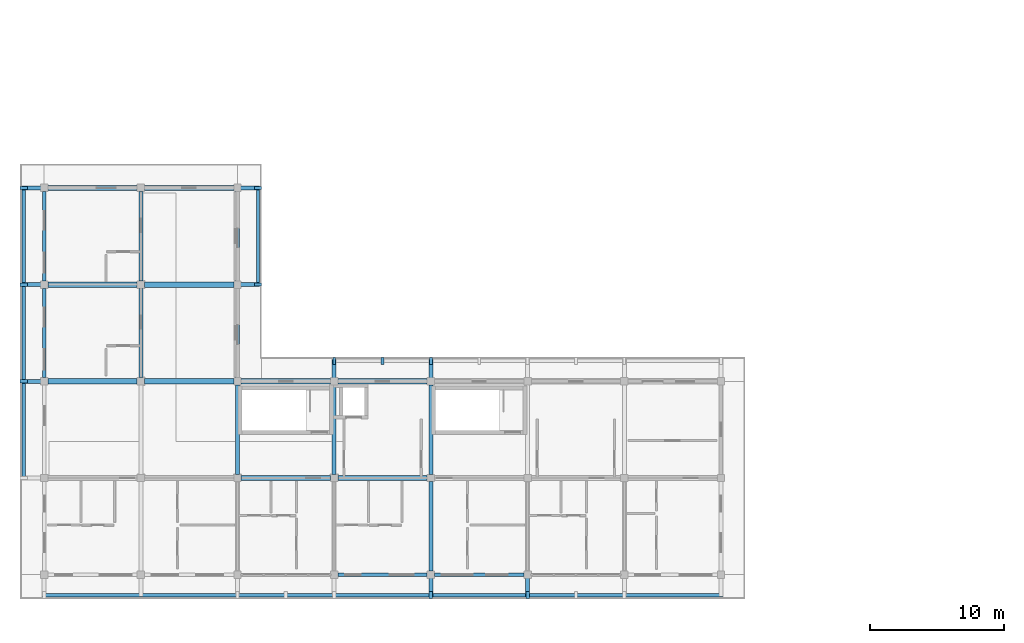
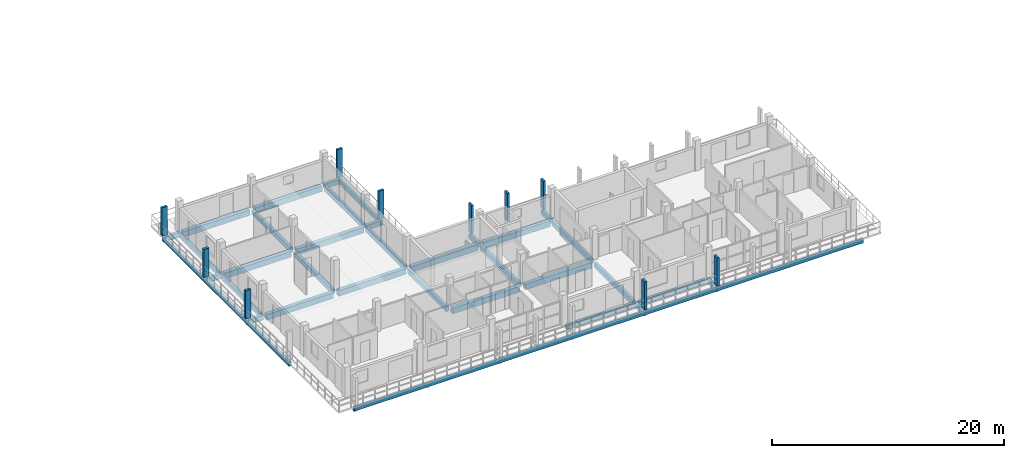
# One storey, part 5 of 65: 34 beams, 10 members.
"""IFC4 building model written with IfcOpenShell, lengths in metres."""

from ifc_helpers import new_model, si_unit, direction, frame, origin, origin_2d, place, context, subcontext, project, spatial, rectangle, extrude, material, material_profile, profile_set, type_object, element, save


model = new_model("IFC4")

# Units and contexts
model_context = context("Model", 3, precision=1e-05, world=origin(), true_north=direction((0.0, 1.0)))
body_context = subcontext(model_context, "Body", "Model", "MODEL_VIEW")
ifc_project = project(units=[si_unit("LENGTHUNIT", "METRE"), si_unit("AREAUNIT", "SQUARE_METRE"), si_unit("VOLUMEUNIT", "CUBIC_METRE"), si_unit("PLANEANGLEUNIT", "RADIAN"), si_unit("MASSUNIT", "GRAM", prefix="KILO")], contexts=[model_context])

# Site, building, storey
site_placement = place(None, origin())
site = spatial("IfcSite", under=ifc_project, at=site_placement, CompositionType="ELEMENT")
building_placement = place(site_placement, origin())
building = spatial("IfcBuilding", under=site, at=building_placement, Name="Suanplinth Sawtooth Commons", CompositionType="ELEMENT")
storey_placement = place(building_placement, frame((0.0, 0.0, 28.300048828125)))
storey = spatial("IfcBuildingStorey", under=building, at=storey_placement, Name="L08", CompositionType="ELEMENT", Elevation=28.300048828125)

# Beams
ifc_material_1 = material(Name="Precast concrete C40/50", Category="concrete")
ifc_material_profile_1 = material_profile(ifc_material_1, rectangle(XDim=0.39990234375, YDim=0.60009765625, at=origin_2d()), Name="PC-GDR 400x600")
ifc_profile_set_1 = profile_set([ifc_material_profile_1], Name="Precast concrete C40/50")
beam_type_1 = type_object("IfcBeamType", Name="B-05", PredefinedType="USERDEFINED", material=ifc_profile_set_1)
for number, where, z_axis, x_axis, name in (
    (1, (0.27490234375, 14.39990234375, -0.510009765625), (1.0, 0.0, 0.0), (0.0, 1.0, 0.0), "BMX-L08-D-0-2"),
    (2, (0.27490234375, 21.60009765625, -0.510009765625), (1.0, 0.0, 0.0), (0.0, 1.0, 0.0), "BMX-L08-D-0-3"),
    (3, (0.27490234375, 28.800048828125, -0.510009765625), (1.0, 0.0, 0.0), (0.0, 1.0, 0.0), "BMX-L08-D-0-4"),
):
    element("IfcBeam", number, at=place(storey_placement, frame(where, z_axis=z_axis, x_axis=x_axis)), inside=storey, type_object=beam_type_1, Name=name, ObjectType="GIRDER", PredefinedType="USERDEFINED", context=body_context, shape_type="SweptSolid", body=[
        extrude(rectangle(XDim=0.39990234375, YDim=0.60009765625, at=origin_2d()), origin(), (0.0, 0.0, 1.0), 6.650146484375),
    ])
for number, where, z_axis, x_axis, name in (
    (4, (7.47509765625, 14.39990234375, -0.510009765625), (1.0, 0.0, 0.0), (0.0, 1.0, 0.0), "BMX-L08-D-1-2"),
    (5, (7.47509765625, 21.60009765625, -0.510009765625), (1.0, 0.0, 0.0), (0.0, 1.0, 0.0), "BMX-L08-D-1-3"),
    (6, (7.47509765625, 28.800048828125, -0.510009765625), (1.0, 0.0, 0.0), (0.0, 1.0, 0.0), "BMX-L08-D-1-4"),
    (7, (14.675048828125, 7.199951171875, -0.510009765625), (1.0, 0.0, 0.0), (0.0, 1.0, 0.0), "BMX-L08-D-2-1"),
    (8, (14.675048828125, 14.39990234375, -0.510009765625), (1.0, 0.0, 0.0), (0.0, 1.0, 0.0), "BMX-L08-D-2-2"),
    (9, (21.875, 7.199951171875, -0.510009765625), (1.0, 0.0, 0.0), (0.0, 1.0, 0.0), "BMX-L08-D-3-1"),
    (10, (21.875, 14.39990234375, -0.510009765625), (1.0, 0.0, 0.0), (0.0, 1.0, 0.0), "BMX-L08-D-3-2"),
):
    element("IfcBeam", number, at=place(storey_placement, frame(where, z_axis=z_axis, x_axis=x_axis)), inside=storey, type_object=beam_type_1, Name=name, ObjectType="GIRDER", PredefinedType="USERDEFINED", context=body_context, shape_type="SweptSolid", body=[
        extrude(rectangle(XDim=0.39990234375, YDim=0.60009765625, at=origin_2d()), origin(), (0.0, 0.0, 1.0), 6.64990234375),
    ])
ifc_material_profile_2 = material_profile(ifc_material_1, rectangle(XDim=0.300048828125, YDim=0.5, at=origin_2d()), Name="PC-BM 300x500")
ifc_profile_set_2 = profile_set([ifc_material_profile_2], Name="Precast concrete C40/50")
beam_type_2 = type_object("IfcBeamType", Name="B-07", PredefinedType="BEAM", material=ifc_profile_set_2)
for number, where, z_axis, x_axis, name in (
    (11, (7.199951171875, 14.675048828125, -0.4599609375), (0.0, 1.0, 0.0), (-1.0, 0.0, 0.0), "BMY-L08-D-1-2"),
    (12, (7.199951171875, 21.875, -0.4599609375), (0.0, 1.0, 0.0), (-1.0, 0.0, 0.0), "BMY-L08-D-1-3"),
    (13, (14.39990234375, 7.47509765625, -0.4599609375), (0.0, 1.0, 0.0), (-1.0, 0.0, 0.0), "BMY-L08-D-2-1"),
    (14, (14.39990234375, 14.675048828125, -0.4599609375), (0.0, 1.0, 0.0), (-1.0, 0.0, 0.0), "BMY-L08-D-2-2"),
    (15, (14.39990234375, 21.875, -0.4599609375), (0.0, 1.0, 0.0), (-1.0, 0.0, 0.0), "BMY-L08-D-2-3"),
    (16, (21.60009765625, 7.47509765625, -0.4599609375), (0.0, 1.0, 0.0), (-1.0, 0.0, 0.0), "BMY-L08-D-3-1"),
):
    element("IfcBeam", number, at=place(storey_placement, frame(where, z_axis=z_axis, x_axis=x_axis)), inside=storey, type_object=beam_type_2, Name=name, PredefinedType="BEAM", context=body_context, shape_type="SweptSolid", body=[
        extrude(rectangle(XDim=0.300048828125, YDim=0.5, at=origin_2d()), origin(), (0.0, 0.0, 1.0), 6.64990234375),
    ])
beam_1_placement = place(storey_placement, frame((28.800048828125, 0.27490234375, -0.4599609375), z_axis=(0.0, 1.0, 0.0), x_axis=(-1.0, 0.0, 0.0)))
element("IfcBeam", 17, at=beam_1_placement, inside=storey, type_object=beam_type_2, Name="BMY-L08-D-4-0", PredefinedType="BEAM", context=body_context, shape_type="SweptSolid", body=[
    extrude(rectangle(XDim=0.300048828125, YDim=0.5, at=origin_2d()), origin(), (0.0, 0.0, 1.0), 6.650146484375),
])
beam_2_placement = place(storey_placement, frame((28.800048828125, 7.47509765625, -0.4599609375), z_axis=(0.0, 1.0, 0.0), x_axis=(-1.0, 0.0, 0.0)))
element("IfcBeam", 18, at=beam_2_placement, inside=storey, type_object=beam_type_2, Name="BMY-L08-D-4-1", PredefinedType="BEAM", context=body_context, shape_type="SweptSolid", body=[
    extrude(rectangle(XDim=0.300048828125, YDim=0.5, at=origin_2d()), origin(), (0.0, 0.0, 1.0), 6.64990234375),
])
for number, where, z_axis, x_axis, name in (
    (19, (28.800048828125, 0.0, -0.429931640625), (0.0, -1.0, 0.0), (1.0, 0.0, 0.0), "Balcony Outrigger L08-D-S-4"),
    (20, (36.0, 0.0, -0.429931640625), (0.0, -1.0, 0.0), (1.0, 0.0, 0.0), "Balcony Outrigger L08-D-S-5"),
    (21, (0.0, 14.39990234375, -0.429931640625), (-1.0, 0.0, 0.0), (0.0, -1.0, 0.0), "Balcony Outrigger L08-D-W-2"),
    (22, (0.0, 21.60009765625, -0.429931640625), (-1.0, 0.0, 0.0), (0.0, -1.0, 0.0), "Balcony Outrigger L08-D-W-3"),
    (23, (0.0, 28.800048828125, -0.429931640625), (-1.0, 0.0, 0.0), (0.0, -1.0, 0.0), "Balcony Outrigger L08-D-W-4"),
):
    element("IfcBeam", number, at=place(storey_placement, frame(where, z_axis=z_axis, x_axis=x_axis)), inside=storey, type_object=beam_type_2, Name=name, PredefinedType="BEAM", context=body_context, shape_type="SweptSolid", body=[
        extrude(rectangle(XDim=0.300048828125, YDim=0.5, at=origin_2d()), origin(), (0.0, 0.0, 1.0), 1.639892578125),
    ])
for number, where, z_axis, x_axis, name in (
    (24, (21.60009765625, 14.39990234375, -0.425048828125), (0.0, 1.0, 0.0), (-1.0, 0.0, 0.0), "Balcony Outrigger L08-D-NC-3"),
    (25, (28.800048828125, 14.39990234375, -0.425048828125), (0.0, 1.0, 0.0), (-1.0, 0.0, 0.0), "Balcony Outrigger L08-D-NC-4"),
    (26, (14.39990234375, 21.60009765625, -0.425048828125), (1.0, 0.0, 0.0), (0.0, 1.0, 0.0), "Balcony Outrigger L08-D-EC-3"),
    (27, (14.39990234375, 28.800048828125, -0.425048828125), (1.0, 0.0, 0.0), (0.0, 1.0, 0.0), "Balcony Outrigger L08-D-EC-4"),
):
    element("IfcBeam", number, at=place(storey_placement, frame(where, z_axis=z_axis, x_axis=x_axis)), inside=storey, type_object=beam_type_2, Name=name, PredefinedType="BEAM", context=body_context, shape_type="SweptSolid", body=[
        extrude(rectangle(XDim=0.300048828125, YDim=0.5, at=origin_2d()), origin(), (0.0, 0.0, 1.0), 1.64013671875),
    ])
ifc_material_profile_3 = material_profile(ifc_material_1, rectangle(XDim=0.25, YDim=0.449951171875, at=origin_2d()), Name="PC-SP 250x450")
ifc_profile_set_3 = profile_set([ifc_material_profile_3], Name="Precast concrete C40/50")
beam_type_3 = type_object("IfcBeamType", Name="B-09", PredefinedType="SPANDREL", material=ifc_profile_set_3)
beam_3_placement = place(storey_placement, frame((21.875, 0.0, -0.43505859375), z_axis=(1.0, 0.0, 0.0), x_axis=(0.0, 1.0, 0.0)))
element("IfcBeam", 28, at=beam_3_placement, inside=storey, type_object=beam_type_3, Name="BMX-L08-D-3-0", PredefinedType="SPANDREL", context=body_context, shape_type="SweptSolid", body=[
    extrude(rectangle(XDim=0.25, YDim=0.449951171875, at=origin_2d()), origin(), (0.0, 0.0, 1.0), 6.64990234375),
])
beam_4_placement = place(storey_placement, frame((29.074951171875, 0.0, -0.43505859375), z_axis=(1.0, 0.0, 0.0), x_axis=(0.0, 1.0, 0.0)))
element("IfcBeam", 29, at=beam_4_placement, inside=storey, type_object=beam_type_3, Name="BMX-L08-D-4-0", PredefinedType="SPANDREL", context=body_context, shape_type="SweptSolid", body=[
    extrude(rectangle(XDim=0.25, YDim=0.449951171875, at=origin_2d()), origin(), (0.0, 0.0, 1.0), 6.650146484375),
])
for number, where, z_axis, x_axis, name in (
    (30, (0.0, 14.675048828125, -0.43505859375), (0.0, 1.0, 0.0), (-1.0, 0.0, 0.0), "BMY-L08-D-0-2"),
    (31, (0.0, 21.875, -0.43505859375), (0.0, 1.0, 0.0), (-1.0, 0.0, 0.0), "BMY-L08-D-0-3"),
):
    element("IfcBeam", number, at=place(storey_placement, frame(where, z_axis=z_axis, x_axis=x_axis)), inside=storey, type_object=beam_type_3, Name=name, PredefinedType="SPANDREL", context=body_context, shape_type="SweptSolid", body=[
        extrude(rectangle(XDim=0.25, YDim=0.449951171875, at=origin_2d()), origin(), (0.0, 0.0, 1.0), 6.64990234375),
    ])
beam_5_placement = place(storey_placement, frame((-0.14990234375, -1.52001953125, -0.405029296875), z_axis=(1.0, 0.0, 0.0), x_axis=(0.0, 1.0, 0.0)))
element("IfcBeam", 32, at=beam_5_placement, inside=storey, type_object=beam_type_3, Name="Balcony Edge Fascia L08-D-S", PredefinedType="SPANDREL", context=body_context, shape_type="SweptSolid", body=[
    extrude(rectangle(XDim=0.25, YDim=0.449951171875, at=origin_2d()), origin(), (0.0, 0.0, 1.0), 50.699951171875),
])
beam_6_placement = place(storey_placement, frame((-1.52001953125, 7.050048828125, -0.405029296875), z_axis=(0.0, 1.0, 0.0), x_axis=(-1.0, 0.0, 0.0)))
element("IfcBeam", 33, at=beam_6_placement, inside=storey, type_object=beam_type_3, Name="Balcony Edge Fascia L08-D-W", PredefinedType="SPANDREL", context=body_context, shape_type="SweptSolid", body=[
    extrude(rectangle(XDim=0.25, YDim=0.449951171875, at=origin_2d()), origin(), (0.0, 0.0, 1.0), 21.89990234375),
])
beam_7_placement = place(storey_placement, frame((15.919921875, 21.449951171875, -0.400146484375), z_axis=(0.0, 1.0, 0.0), x_axis=(-1.0, 0.0, 0.0)))
element("IfcBeam", 34, at=beam_7_placement, inside=storey, type_object=beam_type_3, Name="Balcony Edge Fascia L08-D-EC", PredefinedType="SPANDREL", context=body_context, shape_type="SweptSolid", body=[
    extrude(rectangle(XDim=0.25, YDim=0.449951171875, at=origin_2d()), origin(), (0.0, 0.0, 1.0), 7.5),
])

# Members
ifc_material_2 = material(Name="Pigmented precast concrete C40/50", Category="concrete")
ifc_material_profile_4 = material_profile(ifc_material_2, rectangle(XDim=0.25, YDim=0.5400390625, at=origin_2d()), Name="PC-FIN 250x540")
ifc_profile_set_4 = profile_set([ifc_material_profile_4], Name="Pigmented precast concrete C40/50")
member_type_1 = type_object("IfcMemberType", Name="M-11", PredefinedType="USERDEFINED", material=ifc_profile_set_4)
for number, where, z_axis, x_axis, name in (
    (35, (28.800048828125, -1.52001953125, 0.0), (0.0, 0.0, 1.0), (1.0, 0.0, 0.0), "Upright Solar Blade L08-D-S-05"),
    (36, (36.0, -1.52001953125, 0.0), (0.0, 0.0, 1.0), (1.0, 0.0, 0.0), "Upright Solar Blade L08-D-S-06"),
    (37, (-1.52001953125, 14.39990234375, 0.0), (0.0, 0.0, 1.0), (0.0, 1.0, 0.0), "Upright Solar Blade L08-D-W-10"),
    (38, (-1.52001953125, 21.60009765625, 0.0), (0.0, 0.0, 1.0), (0.0, 1.0, 0.0), "Upright Solar Blade L08-D-W-11"),
    (39, (-1.52001953125, 28.800048828125, 0.0), (0.0, 0.0, 1.0), (0.0, 1.0, 0.0), "Upright Solar Blade L08-D-W-12"),
):
    element("IfcMember", number, at=place(storey_placement, frame(where, z_axis=z_axis, x_axis=x_axis)), inside=storey, type_object=member_type_1, Name=name, ObjectType="SHADING FIN", PredefinedType="USERDEFINED", context=body_context, shape_type="SweptSolid", body=[
        extrude(rectangle(XDim=0.25, YDim=0.5400390625, at=origin_2d()), origin(), (0.0, 0.0, 1.0), 2.969970703125),
    ])
ifc_material_profile_5 = material_profile(ifc_material_2, rectangle(XDim=0.2099609375, YDim=0.52001953125, at=origin_2d()), Name="PC-FIN 210x520")
ifc_profile_set_5 = profile_set([ifc_material_profile_5], Name="Pigmented precast concrete C40/50")
member_type_2 = type_object("IfcMemberType", Name="M-12", PredefinedType="USERDEFINED", material=ifc_profile_set_5)
for number, where, z_axis, x_axis, name in (
    (40, (21.60009765625, 15.919921875, 0.0), (0.0, 0.0, 1.0), (1.0, 0.0, 0.0), "Upright Solar Blade L08-D-NC-13"),
    (41, (25.199951171875, 15.919921875, 0.0), (0.0, 0.0, 1.0), (1.0, 0.0, 0.0), "Upright Solar Blade L08-D-NC-14"),
    (42, (28.800048828125, 15.919921875, 0.0), (0.0, 0.0, 1.0), (1.0, 0.0, 0.0), "Upright Solar Blade L08-D-NC-15"),
    (43, (15.919921875, 21.60009765625, 0.0), (0.0, 0.0, 1.0), (0.0, 1.0, 0.0), "Upright Solar Blade L08-D-EC-21"),
    (44, (15.919921875, 28.800048828125, 0.0), (0.0, 0.0, 1.0), (0.0, 1.0, 0.0), "Upright Solar Blade L08-D-EC-22"),
):
    element("IfcMember", number, at=place(storey_placement, frame(where, z_axis=z_axis, x_axis=x_axis)), inside=storey, type_object=member_type_2, Name=name, ObjectType="SHADING FIN", PredefinedType="USERDEFINED", context=body_context, shape_type="SweptSolid", body=[
        extrude(rectangle(XDim=0.2099609375, YDim=0.52001953125, at=origin_2d()), origin(), (0.0, 0.0, 1.0), 2.969970703125),
    ])

save(model, "model.ifc")
